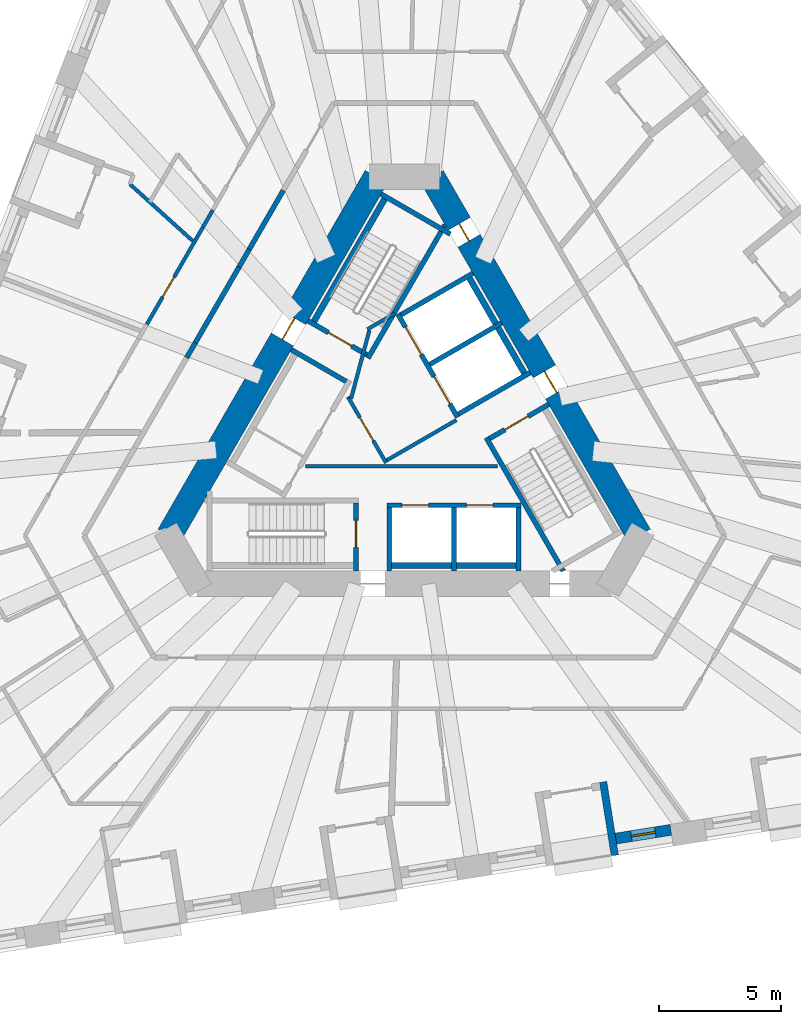
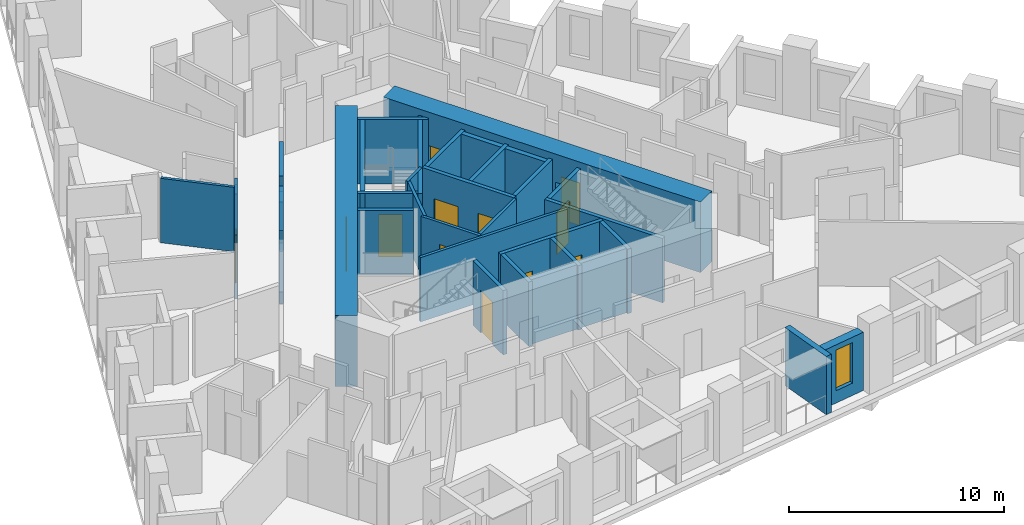
# One storey, part 5 of 14: 34 walls, 12 doors, 1 window, 13 openings.
"""IFC4 building model written with IfcOpenShell, lengths in metres."""

from ifc_helpers import new_model, si_unit, direction, frame, frame_2d, origin, place, context, subcontext, project, spatial, rectangle, extrude, material, layer, layer_set, type_object, element, fill, save


model = new_model("IFC4")

# Units and contexts
model_context = context("Model", 3, precision=1e-05, world=origin(), true_north=direction((0.0, 1.0)))
body_context = subcontext(model_context, "Body", "Model", "MODEL_VIEW")
ifc_project = project(units=[si_unit("LENGTHUNIT", "METRE"), si_unit("AREAUNIT", "SQUARE_METRE"), si_unit("VOLUMEUNIT", "CUBIC_METRE"), si_unit("PLANEANGLEUNIT", "RADIAN"), si_unit("MASSUNIT", "GRAM", prefix="KILO")], contexts=[model_context])

# Site, building, storey
site_placement = place(None, origin())
site = spatial("IfcSite", under=ifc_project, at=site_placement, CompositionType="ELEMENT")
building_placement = place(site_placement, origin())
building = spatial("IfcBuilding", under=site, at=building_placement, Name="Tramontana Tower", CompositionType="ELEMENT")
storey_placement = place(building_placement, frame((0.0, 0.0, 67.199951171875)))
storey = spatial("IfcBuildingStorey", under=building, at=storey_placement, Name="L14", CompositionType="ELEMENT", Elevation=67.199951171875)

# Wall, opening, door
ifc_material_1 = material(Name="Concrete 70 MPa", Category="concrete")
ifc_layer_1 = layer(ifc_material_1, 1.050048828125)
ifc_layer_set_1 = layer_set([ifc_layer_1], Name="Core wall 1050 70 MPa")
wall_type_1 = type_object("IfcWallType", Name="Core wall 1050 70 MPa", PredefinedType="SHEAR", material=ifc_layer_set_1)
wall_1_placement = place(storey_placement, frame((-1.140380859375, 10.47509765625, 0.0), z_axis=(0.0, 0.0, 1.0), x_axis=(-0.499985955615, -0.866033512162, 0.0)))
wall_1 = element("IfcWall", 1, at=wall_1_placement, inside=storey, type_object=wall_type_1, Name="Core wall C1 L14", PredefinedType="SHEAR", context=body_context, shape_type="SweptSolid", body=[
    extrude(rectangle(XDim=17.0029296875, YDim=1.050048828125, at=frame_2d((8.50146484375, 0.0))), origin(), (0.0, 0.0, 1.0), 4.0),
])
opening_1_placement = place(wall_1_placement, frame((6.70654296875, 0.0, 0.0)))
opening_1 = element("IfcOpeningElement", 2, at=opening_1_placement, cuts=wall_1, Name="Opening RG1", PredefinedType="OPENING", context=body_context, shape_type="SweptSolid", body=[
    extrude(rectangle(XDim=1.0, YDim=2.39990234375, at=frame_2d((0.5, 1.199951171875))), frame((0.0, 0.534912109375, 0.0), z_axis=(0.0, -1.0, 0.0), x_axis=(1.0, 0.0, 0.0)), (0.0, 0.0, 1.0), 1.070068359375),
])
ifc_material_2 = material(Name="Painted steel", Category="steel")
door_type_1 = type_object("IfcDoorType", Name="RING DOOR 1000", OperationType="SINGLE_SWING_LEFT", PredefinedType="DOOR", material=ifc_material_2)
door_1_placement = place(opening_1_placement, origin())
door_1 = element("IfcDoor", 3, at=door_1_placement, inside=storey, type_object=door_type_1, Name="Door RG1", OperationType="SINGLE_SWING_RIGHT", OverallHeight=2.39990234375, OverallWidth=1.0, PredefinedType="DOOR", context=body_context, shape_type="SweptSolid", body=[
    extrude(rectangle(XDim=1.0, YDim=2.39990234375, at=frame_2d((0.5, 1.199951171875))), frame((0.0, 0.02490234375, 0.0), z_axis=(0.0, -1.0, 0.0), x_axis=(1.0, 0.0, 0.0)), (0.0, 0.0, 1.0), 0.050048828125),
])
fill(opening_1, door_1)

# Wall, openings, doors
wall_2_placement = place(storey_placement, frame((9.6416015625, -4.25, 0.0), z_axis=(0.0, 0.0, 1.0), x_axis=(-0.499985955615, 0.866033512162, 0.0)))
wall_2 = element("IfcWall", 4, at=wall_2_placement, inside=storey, type_object=wall_type_1, Name="Core wall C5 L14", PredefinedType="SHEAR", context=body_context, shape_type="SweptSolid", body=[
    extrude(rectangle(XDim=17.0029296875, YDim=1.050048828125, at=frame_2d((8.50146484375, 0.0))), origin(), (0.0, 0.0, 1.0), 4.0),
])
opening_2_placement = place(wall_2_placement, frame((6.7763671875, 0.0, 0.0)))
opening_2 = element("IfcOpeningElement", 5, at=opening_2_placement, cuts=wall_2, Name="Opening RG3", PredefinedType="OPENING", context=body_context, shape_type="SweptSolid", body=[
    extrude(rectangle(XDim=1.0, YDim=2.39990234375, at=frame_2d((0.5, 1.199951171875))), frame((0.0, 0.534912109375, 0.0), z_axis=(0.0, -1.0, 0.0), x_axis=(1.0, 0.0, 0.0)), (0.0, 0.0, 1.0), 1.070068359375),
])
opening_3_placement = place(wall_2_placement, frame((13.966796875, 0.0, 0.0)))
opening_3 = element("IfcOpeningElement", 6, at=opening_3_placement, cuts=wall_2, Name="Opening PD3", PredefinedType="OPENING", context=body_context, shape_type="SweptSolid", body=[
    extrude(rectangle(XDim=0.800048828125, YDim=2.10009765625, at=frame_2d((0.39990234375, 1.050048828125))), frame((0.0, 0.534912109375, 0.0), z_axis=(0.0, -1.0, 0.0), x_axis=(1.0, 0.0, 0.0)), (0.0, 0.0, 1.0), 1.070068359375),
])
ifc_material_3 = material(Name="Painted steel", Category="steel")
door_type_2 = type_object("IfcDoorType", Name="CUPBOARD DOOR 800", OperationType="SINGLE_SWING_LEFT", PredefinedType="DOOR", material=ifc_material_3)
door_2_placement = place(opening_3_placement, origin())
door_2 = element("IfcDoor", 7, at=door_2_placement, inside=storey, type_object=door_type_2, Name="Door PD3", OperationType="SINGLE_SWING_RIGHT", OverallHeight=2.10009765625, OverallWidth=0.800048828125, PredefinedType="DOOR", context=body_context, shape_type="SweptSolid", body=[
    extrude(rectangle(XDim=0.800048828125, YDim=2.10009765625, at=frame_2d((0.39990234375, 1.050048828125))), frame((0.0, 0.02490234375, 0.0), z_axis=(0.0, -1.0, 0.0), x_axis=(1.0, 0.0, 0.0)), (0.0, 0.0, 1.0), 0.050048828125),
])
fill(opening_3, door_2)
door_3_placement = place(opening_2_placement, origin())
door_3 = element("IfcDoor", 8, at=door_3_placement, inside=storey, type_object=door_type_1, Name="Door RG3", OperationType="SINGLE_SWING_RIGHT", OverallHeight=2.39990234375, OverallWidth=1.0, PredefinedType="DOOR", context=body_context, shape_type="SweptSolid", body=[
    extrude(rectangle(XDim=1.0, YDim=2.39990234375, at=frame_2d((0.5, 1.199951171875))), frame((0.0, 0.02490234375, 0.0), z_axis=(0.0, -1.0, 0.0), x_axis=(1.0, 0.0, 0.0)), (0.0, 0.0, 1.0), 0.050048828125),
])
fill(opening_2, door_3)

# Walls
ifc_material_4 = material(Name="Blockwork", Category="masonry")
ifc_layer_2 = layer(ifc_material_4, 0.199951171875)
ifc_layer_set_2 = layer_set([ifc_layer_2], Name="ENTRY WALL 200")
wall_type_2 = type_object("IfcWallType", Name="ENTRY WALL 200", PredefinedType="SOLIDWALL", material=ifc_layer_set_2)
wall_3_placement = place(storey_placement, frame((-8.92041015625, 3.04931640625, 0.0), z_axis=(0.0, 0.0, 1.0), x_axis=(0.499881507708, 0.866093804534, 0.0)))
element("IfcWall", 9, at=wall_3_placement, inside=storey, type_object=wall_type_2, Name="Wall v11-ew4-3", PredefinedType="SOLIDWALL", context=body_context, shape_type="SweptSolid", body=[
    extrude(rectangle(XDim=0.708740234375, YDim=0.199951171875, at=frame_2d((0.3544921875, 0.0))), origin(), (0.0, 0.0, 1.0), 2.949951171875),
])
wall_4_placement = place(storey_placement, frame((-8.566162109375, 3.6630859375, 0.0), z_axis=(0.0, 0.0, 1.0), x_axis=(0.500013241293, 0.866017758786, 0.0)))
element("IfcWall", 10, at=wall_4_placement, inside=storey, type_object=wall_type_2, Name="Wall v11-ew4-4", PredefinedType="SOLIDWALL", context=body_context, shape_type="SweptSolid", body=[
    extrude(rectangle(XDim=3.58544921875, YDim=0.199951171875, at=frame_2d((1.792724609375, 0.0))), origin(), (0.0, 0.0, 1.0), 3.650146484375),
])
wall_5_placement = place(storey_placement, frame((-6.7734375, 6.76806640625, 0.0), z_axis=(0.0, 0.0, 1.0), x_axis=(0.500117447933, 0.865957584569, 0.0)))
element("IfcWall", 11, at=wall_5_placement, inside=storey, type_object=wall_type_2, Name="Wall v11-ew4-5", PredefinedType="SOLIDWALL", context=body_context, shape_type="SweptSolid", body=[
    extrude(rectangle(XDim=0.838134765625, YDim=0.199951171875, at=frame_2d((0.4189453125, 0.0))), origin(), (0.0, 0.0, 1.0), 2.75),
])
wall_6_placement = place(storey_placement, frame((-6.354248046875, 7.493896484375, 0.0), z_axis=(0.0, 0.0, 1.0), x_axis=(0.499964529649, 0.866045881633, 0.0)))
element("IfcWall", 12, at=wall_6_placement, inside=storey, type_object=wall_type_2, Name="Wall v11-ew4-6", PredefinedType="SOLIDWALL", context=body_context, shape_type="SweptSolid", body=[
    extrude(rectangle(XDim=2.793701171875, YDim=0.199951171875, at=frame_2d((1.39697265625, 0.0))), origin(), (0.0, 0.0, 1.0), 3.650146484375),
])

# Wall, opening, window
ifc_material_5 = material(Name="Precast concrete 60 MPa", Category="concrete")
ifc_layer_3 = layer(ifc_material_5, 0.449951171875)
ifc_layer_set_3 = layer_set([ifc_layer_3], Name="Precast concrete 60 MPa, 450 mm")
wall_type_3 = type_object("IfcWallType", Name="EW1 Stone-faced precast wall 450", PredefinedType="SOLIDWALL", material=ifc_layer_set_3)
wall_7_placement = place(storey_placement, frame((8.680908203125, -16.67236328125, 0.0), z_axis=(0.0, 0.0, 1.0), x_axis=(0.987685675151, 0.156451293065, 0.0)))
wall_7 = element("IfcWall", 13, at=wall_7_placement, inside=storey, type_object=wall_type_3, Name="External wall L14 face 1 bay 4", PredefinedType="SOLIDWALL", context=body_context, shape_type="SweptSolid", body=[
    extrude(rectangle(XDim=2.282958984375, YDim=0.449951171875, at=frame_2d((1.1416015625, 0.0))), origin(), (0.0, 0.0, 1.0), 3.300048828125),
])
opening_4_placement = place(wall_7_placement, frame((0.6416015625, 0.0, 0.699951171875)))
opening_4 = element("IfcOpeningElement", 14, at=opening_4_placement, cuts=wall_7, Name="Opening N1", PredefinedType="OPENING", context=body_context, shape_type="SweptSolid", body=[
    extrude(rectangle(XDim=1.0, YDim=2.300048828125, at=frame_2d((0.5, 1.14990234375))), frame((0.0, 0.23486328125, 0.0), z_axis=(0.0, -1.0, 0.0), x_axis=(1.0, 0.0, 0.0)), (0.0, 0.0, 1.0), 0.469970703125),
])
ifc_material_6 = material(Name="Aluminum frame, double glazing unit", Category="aluminium")
window_type = type_object("IfcWindowType", Name="N1 Window 1 x 2.3", PartitioningType="SINGLE_PANEL", PredefinedType="WINDOW", material=ifc_material_6)
window_placement = place(opening_4_placement, origin())
window = element("IfcWindow", 15, at=window_placement, inside=storey, type_object=window_type, Name="Window N1 L14 face 1 module 12", OverallHeight=2.300048828125, OverallWidth=1.0, PartitioningType="SINGLE_PANEL", PredefinedType="WINDOW", context=body_context, shape_type="SweptSolid", body=[
    extrude(rectangle(XDim=1.0, YDim=2.300048828125, at=frame_2d((0.5, 1.14990234375))), frame((0.0, 0.030029296875, 0.0), z_axis=(0.0, -1.0, 0.0), x_axis=(1.0, 0.0, 0.0)), (0.0, 0.0, 1.0), 0.06005859375),
])
fill(opening_4, window)

# Wall
ifc_material_7 = material(Name="Precast concrete 60 MPa", Category="concrete")
ifc_layer_4 = layer(ifc_material_7, 0.300048828125)
ifc_layer_set_4 = layer_set([ifc_layer_4], Name="LW1 Stone-faced loggia wall 300")
wall_type_4 = type_object("IfcWallType", Name="LW1 Stone-faced loggia wall 300", PredefinedType="SOLIDWALL", material=ifc_layer_set_4)
wall_8_placement = place(storey_placement, frame((8.638427734375, -17.3623046875, 0.0), z_axis=(0.0, 0.0, 1.0), x_axis=(-0.156410600741, 0.987692120033, 0.0)))
element("IfcWall", 16, at=wall_8_placement, inside=storey, type_object=wall_type_4, Name="Loggia return L14 G1S1.10b", PredefinedType="SOLIDWALL", context=body_context, shape_type="SweptSolid", body=[
    extrude(rectangle(XDim=3.050048828125, YDim=0.300048828125, at=frame_2d((1.52490234375, 0.0))), origin(), (0.0, 0.0, 1.0), 3.300048828125),
])

# Wall, opening, door
ifc_material_8 = material(Name="Gypsum board partition")
ifc_layer_5 = layer(ifc_material_8, 0.14990234375)
ifc_layer_set_5 = layer_set([ifc_layer_5], Name="PARTITION 150")
wall_type_5 = type_object("IfcWallType", Name="PARTITION 150", PredefinedType="PARTITIONING", material=ifc_layer_set_5)
wall_9_placement = place(storey_placement, frame((-0.744140625, -1.260986328125, 0.0), z_axis=(0.0, 0.0, 1.0), x_axis=(-0.500004234368, 0.866022959057, 0.0)))
wall_9 = element("IfcWall", 17, at=wall_9_placement, inside=storey, type_object=wall_type_5, Name="Wall ff-front", PredefinedType="PARTITIONING", context=body_context, shape_type="SweptSolid", body=[
    extrude(rectangle(XDim=3.125, YDim=0.14990234375, at=frame_2d((1.5625, 0.0))), origin(), (0.0, 0.0, 1.0), 3.650146484375),
])
opening_5_placement = place(wall_9_placement, frame((1.050048828125, 0.0, 0.0)))
opening_5 = element("IfcOpeningElement", 18, at=opening_5_placement, cuts=wall_9, Name="Opening FD1", PredefinedType="OPENING", context=body_context, shape_type="SweptSolid", body=[
    extrude(rectangle(XDim=1.10009765625, YDim=2.39990234375, at=frame_2d((0.550048828125, 1.199951171875))), frame((0.0, 0.0849609375, 0.0), z_axis=(0.0, -1.0, 0.0), x_axis=(1.0, 0.0, 0.0)), (0.0, 0.0, 1.0), 0.169921875),
])
ifc_material_9 = material(Name="Painted timber", Category="wood")
door_type_3 = type_object("IfcDoorType", Name="DOOR ENTRY 1100", OperationType="SINGLE_SWING_LEFT", PredefinedType="DOOR", material=ifc_material_9)
door_4_placement = place(opening_5_placement, origin())
door_4 = element("IfcDoor", 19, at=door_4_placement, inside=storey, type_object=door_type_3, Name="Door FD1", OperationType="SINGLE_SWING_LEFT", OverallHeight=2.39990234375, OverallWidth=1.10009765625, PredefinedType="DOOR", context=body_context, shape_type="SweptSolid", body=[
    extrude(rectangle(XDim=1.10009765625, YDim=2.39990234375, at=frame_2d((0.550048828125, 1.199951171875))), frame((0.0, 0.02490234375, 0.0), z_axis=(0.0, -1.0, 0.0), x_axis=(1.0, 0.0, 0.0)), (0.0, 0.0, 1.0), 0.050048828125),
])
fill(opening_5, door_4)

# Walls
wall_10_placement = place(storey_placement, frame((-0.716796875, -1.15869140625, 0.0), z_axis=(0.0, 0.0, 1.0), x_axis=(0.866008176907, 0.50002983664, 0.0)))
element("IfcWall", 20, at=wall_10_placement, inside=storey, type_object=wall_type_5, Name="Wall ff-end0", PredefinedType="PARTITIONING", context=body_context, shape_type="SweptSolid", body=[
    extrude(rectangle(XDim=3.300048828125, YDim=0.14990234375, at=frame_2d((1.64990234375, 0.0))), origin(), (0.0, 0.0, 1.0), 3.650146484375),
])
wall_11_placement = place(storey_placement, frame((-2.177978515625, 1.372314453125, 0.0), z_axis=(0.0, 0.0, 1.0), x_axis=(0.258808958833, 0.96592852884, 0.0)))
element("IfcWall", 21, at=wall_11_placement, inside=storey, type_object=wall_type_5, Name="Wall ff-diag", PredefinedType="PARTITIONING", context=body_context, shape_type="SweptSolid", body=[
    extrude(rectangle(XDim=2.902587890625, YDim=0.14990234375, at=frame_2d((1.451171875, 0.0))), origin(), (0.0, 0.0, 1.0), 3.650146484375),
])
wall_12_placement = place(storey_placement, frame((-1.509765625, 4.21484375, 0.0), z_axis=(0.0, 0.0, 1.0), x_axis=(0.866085525409, 0.49989585183, 0.0)))
element("IfcWall", 22, at=wall_12_placement, inside=storey, type_object=wall_type_5, Name="Wall ff-end1", PredefinedType="PARTITIONING", context=body_context, shape_type="SweptSolid", body=[
    extrude(rectangle(XDim=1.300048828125, YDim=0.14990234375, at=frame_2d((0.64990234375, 0.0))), origin(), (0.0, 0.0, 1.0), 3.650146484375),
])
wall_13_placement = place(storey_placement, frame((-4.053466796875, -1.39990234375, 0.0), z_axis=(0.0, 0.0, 1.0), x_axis=(1.0, 0.0, 0.0)))
element("IfcWall", 23, at=wall_13_placement, inside=storey, type_object=wall_type_5, Name="Wall hub-cut1", PredefinedType="PARTITIONING", context=body_context, shape_type="SweptSolid", body=[
    extrude(rectangle(XDim=7.8759765625, YDim=0.14990234375, at=frame_2d((3.93798828125, 0.0))), origin(), (0.0, 0.0, 1.0), 3.650146484375),
])

# Wall, opening, door
wall_14_placement = place(storey_placement, frame((-10.557373046875, 4.4140625, 0.0), z_axis=(0.0, 0.0, 1.0), x_axis=(0.499985815721, 0.866033592927, 0.0)))
wall_14 = element("IfcWall", 24, at=wall_14_placement, inside=storey, type_object=wall_type_5, Name="Wall v11-pw05-4", PredefinedType="PARTITIONING", context=body_context, shape_type="SweptSolid", body=[
    extrude(rectangle(XDim=4.600830078125, YDim=0.14990234375, at=frame_2d((2.30029296875, 0.0))), origin(), (0.0, 0.0, 1.0), 3.650146484375),
])
opening_6_placement = place(wall_14_placement, frame((1.30029296875, 0.0, 0.0)))
opening_6 = element("IfcOpeningElement", 25, at=opening_6_placement, cuts=wall_14, Name="Opening B1B-07", PredefinedType="OPENING", context=body_context, shape_type="SweptSolid", body=[
    extrude(rectangle(XDim=0.949951171875, YDim=2.39990234375, at=frame_2d((0.47509765625, 1.199951171875))), frame((0.0, 0.0849609375, 0.0), z_axis=(0.0, -1.0, 0.0), x_axis=(1.0, 0.0, 0.0)), (0.0, 0.0, 1.0), 0.169921875),
])
ifc_material_10 = material(Name="Painted timber", Category="wood")
door_type_4 = type_object("IfcDoorType", Name="DOOR ROOM 950", OperationType="SINGLE_SWING_LEFT", PredefinedType="DOOR", material=ifc_material_10)
door_5_placement = place(opening_6_placement, origin())
door_5 = element("IfcDoor", 26, at=door_5_placement, inside=storey, type_object=door_type_4, Name="Door B1B-07", OperationType="SINGLE_SWING_LEFT", OverallHeight=2.39990234375, OverallWidth=0.949951171875, PredefinedType="DOOR", context=body_context, shape_type="SweptSolid", body=[
    extrude(rectangle(XDim=0.949951171875, YDim=2.39990234375, at=frame_2d((0.47509765625, 1.199951171875))), frame((0.0, 0.02490234375, 0.0), z_axis=(0.0, -1.0, 0.0), x_axis=(1.0, 0.0, 0.0)), (0.0, 0.0, 1.0), 0.050048828125),
])
fill(opening_6, door_5)

# Walls
wall_15_placement = place(storey_placement, frame((-8.257080078125, 8.3984375, 0.0), z_axis=(0.0, 0.0, 1.0), x_axis=(0.500052144805, 0.865995295874, 0.0)))
element("IfcWall", 27, at=wall_15_placement, inside=storey, type_object=wall_type_5, Name="Wall v11-pw05-5", PredefinedType="PARTITIONING", context=body_context, shape_type="SweptSolid", body=[
    extrude(rectangle(XDim=0.81201171875, YDim=0.14990234375, at=frame_2d((0.406005859375, 0.0))), origin(), (0.0, 0.0, 1.0), 2.75),
])
wall_16_placement = place(storey_placement, frame((-8.668212890625, 7.836181640625, 0.0), z_axis=(0.0, 0.0, 1.0), x_axis=(-0.741818017286, 0.670601244578, 0.0)))
element("IfcWall", 28, at=wall_16_placement, inside=storey, type_object=wall_type_5, Name="Wall v11-pw21", PredefinedType="PARTITIONING", context=body_context, shape_type="SweptSolid", body=[
    extrude(rectangle(XDim=3.48291015625, YDim=0.14990234375, at=frame_2d((1.741455078125, 0.0))), origin(), (0.0, 0.0, 1.0), 3.650146484375),
])
ifc_material_11 = material(Name="Concrete 70 MPa", Category="concrete")
ifc_layer_6 = layer(ifc_material_11, 0.25)
ifc_layer_set_6 = layer_set([ifc_layer_6], Name="Concrete 70 MPa, 250 mm")
wall_type_6 = type_object("IfcWallType", Name="RC SHAFT BACK WALL 250", PredefinedType="SOLIDWALL", material=ifc_layer_set_6)
wall_17_placement = place(storey_placement, frame((-0.701416015625, 9.73486328125, 0.0), z_axis=(0.0, 0.0, 1.0), x_axis=(-0.500026960575, -0.86600983753, 0.0)))
element("IfcWall", 29, at=wall_17_placement, inside=storey, type_object=wall_type_6, Name="Wall st1-back", PredefinedType="SOLIDWALL", context=body_context, shape_type="SweptSolid", body=[
    extrude(rectangle(XDim=6.199951171875, YDim=0.25, at=frame_2d((3.10009765625, 0.0))), origin(), (0.0, 0.0, 1.0), 3.650146484375),
])
wall_18_placement = place(storey_placement, frame((-0.7099609375, -5.47509765625, 0.0), z_axis=(0.0, 0.0, 1.0), x_axis=(1.0, 0.0, 0.0)))
element("IfcWall", 30, at=wall_18_placement, inside=storey, type_object=wall_type_6, Name="Wall row1-back", PredefinedType="SOLIDWALL", context=body_context, shape_type="SweptSolid", body=[
    extrude(rectangle(XDim=5.5, YDim=0.25, at=frame_2d((2.75, 0.0))), origin(), (0.0, 0.0, 1.0), 3.650146484375),
])
wall_19_placement = place(storey_placement, frame((5.0263671875, 2.243896484375, 0.0), z_axis=(0.0, 0.0, 1.0), x_axis=(-0.500002801628, 0.866023786258, 0.0)))
element("IfcWall", 31, at=wall_19_placement, inside=storey, type_object=wall_type_6, Name="Wall row2-back", PredefinedType="SOLIDWALL", context=body_context, shape_type="SweptSolid", body=[
    extrude(rectangle(XDim=4.89990234375, YDim=0.25, at=frame_2d((2.449951171875, 0.0))), origin(), (0.0, 0.0, 1.0), 3.650146484375),
])
ifc_material_12 = material(Name="Concrete 70 MPa", Category="concrete")
ifc_layer_7 = layer(ifc_material_12, 0.199951171875)
ifc_layer_set_7 = layer_set([ifc_layer_7], Name="Concrete 70 MPa, 200 mm")
wall_type_7 = type_object("IfcWallType", Name="RC STAIR AND SHAFT WALL 200", PredefinedType="SOLIDWALL", material=ifc_layer_set_7)
wall_20_placement = place(storey_placement, frame((1.67431640625, 8.5, 0.0), z_axis=(0.0, 0.0, 1.0), x_axis=(-0.499995607161, -0.866027939976, 0.0)))
element("IfcWall", 32, at=wall_20_placement, inside=storey, type_object=wall_type_7, Name="Wall st1-front", PredefinedType="SOLIDWALL", context=body_context, shape_type="SweptSolid", body=[
    extrude(rectangle(XDim=6.318359375, YDim=0.199951171875, at=frame_2d((3.1591796875, 0.0))), origin(), (0.0, 0.0, 1.0), 3.650146484375),
])
wall_21_placement = place(storey_placement, frame((1.892578125, 8.121826171875, 0.0), z_axis=(0.0, 0.0, 1.0), x_axis=(-0.866006986733, 0.500031897912, 0.0)))
element("IfcWall", 33, at=wall_21_placement, inside=storey, type_object=wall_type_7, Name="Wall st1-far", PredefinedType="SOLIDWALL", context=body_context, shape_type="SweptSolid", body=[
    extrude(rectangle(XDim=3.278076171875, YDim=0.199951171875, at=frame_2d((1.63916015625, 0.0))), origin(), (0.0, 0.0, 1.0), 3.650146484375),
])

# Wall, opening, door
wall_22_placement = place(storey_placement, frame((-1.521484375, 3.164794921875, 0.0), z_axis=(0.0, 0.0, 1.0), x_axis=(-0.866034573852, 0.49998411664, 0.0)))
wall_22 = element("IfcWall", 34, at=wall_22_placement, inside=storey, type_object=wall_type_7, Name="Wall st1-near", PredefinedType="SOLIDWALL", context=body_context, shape_type="SweptSolid", body=[
    extrude(rectangle(XDim=2.7998046875, YDim=0.199951171875, at=frame_2d((1.39990234375, 0.0))), origin(), (0.0, 0.0, 1.0), 3.650146484375),
])
opening_7_placement = place(wall_22_placement, frame((0.72509765625, 0.0, 0.0)))
opening_7 = element("IfcOpeningElement", 35, at=opening_7_placement, cuts=wall_22, Name="Opening SD1", PredefinedType="OPENING", context=body_context, shape_type="SweptSolid", body=[
    extrude(rectangle(XDim=1.10009765625, YDim=2.39990234375, at=frame_2d((0.550048828125, 1.199951171875))), frame((0.0, 0.10986328125, 0.0), z_axis=(0.0, -1.0, 0.0), x_axis=(1.0, 0.0, 0.0)), (0.0, 0.0, 1.0), 0.219970703125),
])
ifc_material_13 = material(Name="Painted steel", Category="steel")
door_type_5 = type_object("IfcDoorType", Name="STAIR DOOR 1100", OperationType="SINGLE_SWING_LEFT", PredefinedType="DOOR", material=ifc_material_13)
door_6_placement = place(opening_7_placement, origin())
door_6 = element("IfcDoor", 36, at=door_6_placement, inside=storey, type_object=door_type_5, Name="Door SD1", OperationType="SINGLE_SWING_RIGHT", OverallHeight=2.39990234375, OverallWidth=1.10009765625, PredefinedType="DOOR", context=body_context, shape_type="SweptSolid", body=[
    extrude(rectangle(XDim=1.10009765625, YDim=2.39990234375, at=frame_2d((0.550048828125, 1.199951171875))), frame((0.0, 0.02490234375, 0.0), z_axis=(0.0, -1.0, 0.0), x_axis=(1.0, 0.0, 0.0)), (0.0, 0.0, 1.0), 0.050048828125),
])
fill(opening_7, door_6)

wall_23_placement = place(storey_placement, frame((-1.97998046875, -2.89990234375, 0.0), z_axis=(0.0, 0.0, 1.0), x_axis=(0.0, -1.0, 0.0)))
wall_23 = element("IfcWall", 37, at=wall_23_placement, inside=storey, type_object=wall_type_7, Name="Wall st2-near", PredefinedType="SOLIDWALL", context=body_context, shape_type="SweptSolid", body=[
    extrude(rectangle(XDim=2.800048828125, YDim=0.199951171875, at=frame_2d((1.39990234375, 0.0))), origin(), (0.0, 0.0, 1.0), 3.650146484375),
])
opening_8_placement = place(wall_23_placement, frame((0.72509765625, 0.0, 0.0)))
opening_8 = element("IfcOpeningElement", 38, at=opening_8_placement, cuts=wall_23, Name="Opening SD2", PredefinedType="OPENING", context=body_context, shape_type="SweptSolid", body=[
    extrude(rectangle(XDim=1.10009765625, YDim=2.39990234375, at=frame_2d((0.550048828125, 1.199951171875))), frame((0.0, 0.10986328125, 0.0), z_axis=(0.0, -1.0, 0.0), x_axis=(1.0, 0.0, 0.0)), (0.0, 0.0, 1.0), 0.219970703125),
])
door_7_placement = place(opening_8_placement, origin())
door_7 = element("IfcDoor", 39, at=door_7_placement, inside=storey, type_object=door_type_5, Name="Door SD2", OperationType="SINGLE_SWING_LEFT", OverallHeight=2.39990234375, OverallWidth=1.10009765625, PredefinedType="DOOR", context=body_context, shape_type="SweptSolid", body=[
    extrude(rectangle(XDim=1.10009765625, YDim=2.39990234375, at=frame_2d((0.550048828125, 1.199951171875))), frame((0.0, 0.02490234375, 0.0), z_axis=(0.0, -1.0, 0.0), x_axis=(1.0, 0.0, 0.0)), (0.0, 0.0, 1.0), 0.050048828125),
])
fill(opening_8, door_7)

# Wall
wall_24_placement = place(storey_placement, frame((6.524169921875, -5.699951171875, 0.0), z_axis=(0.0, 0.0, 1.0), x_axis=(-0.499995607161, 0.866027939976, 0.0)))
element("IfcWall", 40, at=wall_24_placement, inside=storey, type_object=wall_type_7, Name="Wall st3-front", PredefinedType="SOLIDWALL", context=body_context, shape_type="SweptSolid", body=[
    extrude(rectangle(XDim=6.318359375, YDim=0.199951171875, at=frame_2d((3.1591796875, 0.0))), origin(), (0.0, 0.0, 1.0), 3.650146484375),
])

# Wall, opening, door
wall_25_placement = place(storey_placement, frame((3.50146484375, -0.2646484375, 0.0), z_axis=(0.0, 0.0, 1.0), x_axis=(0.866034573852, 0.49998411664, 0.0)))
wall_25 = element("IfcWall", 41, at=wall_25_placement, inside=storey, type_object=wall_type_7, Name="Wall st3-near", PredefinedType="SOLIDWALL", context=body_context, shape_type="SweptSolid", body=[
    extrude(rectangle(XDim=2.7998046875, YDim=0.199951171875, at=frame_2d((1.39990234375, 0.0))), origin(), (0.0, 0.0, 1.0), 3.650146484375),
])
opening_9_placement = place(wall_25_placement, frame((0.72509765625, 0.0, 0.0)))
opening_9 = element("IfcOpeningElement", 42, at=opening_9_placement, cuts=wall_25, Name="Opening SD3", PredefinedType="OPENING", context=body_context, shape_type="SweptSolid", body=[
    extrude(rectangle(XDim=1.10009765625, YDim=2.39990234375, at=frame_2d((0.550048828125, 1.199951171875))), frame((0.0, 0.10986328125, 0.0), z_axis=(0.0, -1.0, 0.0), x_axis=(1.0, 0.0, 0.0)), (0.0, 0.0, 1.0), 0.219970703125),
])
door_8_placement = place(opening_9_placement, origin())
door_8 = element("IfcDoor", 43, at=door_8_placement, inside=storey, type_object=door_type_5, Name="Door SD3", OperationType="SINGLE_SWING_RIGHT", OverallHeight=2.39990234375, OverallWidth=1.10009765625, PredefinedType="DOOR", context=body_context, shape_type="SweptSolid", body=[
    extrude(rectangle(XDim=1.10009765625, YDim=2.39990234375, at=frame_2d((0.550048828125, 1.199951171875))), frame((0.0, 0.02490234375, 0.0), z_axis=(0.0, -1.0, 0.0), x_axis=(1.0, 0.0, 0.0)), (0.0, 0.0, 1.0), 0.050048828125),
])
fill(opening_9, door_8)

# Wall
wall_26_placement = place(storey_placement, frame((-2.379638671875, 2.078369140625, 0.0), z_axis=(0.0, 0.0, 1.0), x_axis=(-0.866062058628, 0.499936506574, 0.0)))
element("IfcWall", 44, at=wall_26_placement, inside=storey, type_object=wall_type_7, Name="Wall row0-side0", PredefinedType="SOLIDWALL", context=body_context, shape_type="SweptSolid", body=[
    extrude(rectangle(XDim=2.599853515625, YDim=0.199951171875, at=frame_2d((1.2998046875, 0.0))), origin(), (0.0, 0.0, 1.0), 3.650146484375),
])

# Wall, openings, doors
wall_27_placement = place(storey_placement, frame((-0.7099609375, -3.0, 0.0), z_axis=(0.0, 0.0, 1.0), x_axis=(1.0, 0.0, 0.0)))
wall_27 = element("IfcWall", 45, at=wall_27_placement, inside=storey, type_object=wall_type_7, Name="Wall row1-front", PredefinedType="SOLIDWALL", context=body_context, shape_type="SweptSolid", body=[
    extrude(rectangle(XDim=5.5, YDim=0.199951171875, at=frame_2d((2.75, 0.0))), origin(), (0.0, 0.0, 1.0), 3.650146484375),
])
opening_10_placement = place(wall_27_placement, frame((0.610107421875, 0.0, 0.0)))
opening_10 = element("IfcOpeningElement", 46, at=opening_10_placement, cuts=wall_27, Name="Opening LD-S1", PredefinedType="OPENING", context=body_context, shape_type="SweptSolid", body=[
    extrude(rectangle(XDim=1.10009765625, YDim=2.10009765625, at=frame_2d((0.550048828125, 1.050048828125))), frame((0.0, 0.10986328125, 0.0), z_axis=(0.0, -1.0, 0.0), x_axis=(1.0, 0.0, 0.0)), (0.0, 0.0, 1.0), 0.219970703125),
])
opening_11_placement = place(wall_27_placement, frame((3.260009765625, 0.0, 0.0)))
opening_11 = element("IfcOpeningElement", 47, at=opening_11_placement, cuts=wall_27, Name="Opening LD-S2", PredefinedType="OPENING", context=body_context, shape_type="SweptSolid", body=[
    extrude(rectangle(XDim=1.10009765625, YDim=2.10009765625, at=frame_2d((0.550048828125, 1.050048828125))), frame((0.0, 0.10986328125, 0.0), z_axis=(0.0, -1.0, 0.0), x_axis=(1.0, 0.0, 0.0)), (0.0, 0.0, 1.0), 0.219970703125),
])
ifc_material_14 = material(Name="Brushed steel", Category="steel")
door_type_6 = type_object("IfcDoorType", Name="LANDING DOOR 1100", OperationType="SINGLE_SWING_LEFT", PredefinedType="DOOR", material=ifc_material_14)
door_9_placement = place(opening_10_placement, origin())
door_9 = element("IfcDoor", 48, at=door_9_placement, inside=storey, type_object=door_type_6, Name="Door LD-S1", OperationType="SLIDING_TO_LEFT", OverallHeight=2.10009765625, OverallWidth=1.10009765625, PredefinedType="DOOR", context=body_context, shape_type="SweptSolid", body=[
    extrude(rectangle(XDim=1.10009765625, YDim=2.10009765625, at=frame_2d((0.550048828125, 1.050048828125))), frame((0.0, 0.02490234375, 0.0), z_axis=(0.0, -1.0, 0.0), x_axis=(1.0, 0.0, 0.0)), (0.0, 0.0, 1.0), 0.050048828125),
])
fill(opening_10, door_9)
door_10_placement = place(opening_11_placement, origin())
door_10 = element("IfcDoor", 49, at=door_10_placement, inside=storey, type_object=door_type_6, Name="Door LD-S2", OperationType="SLIDING_TO_RIGHT", OverallHeight=2.10009765625, OverallWidth=1.10009765625, PredefinedType="DOOR", context=body_context, shape_type="SweptSolid", body=[
    extrude(rectangle(XDim=1.10009765625, YDim=2.10009765625, at=frame_2d((0.550048828125, 1.050048828125))), frame((0.0, 0.02490234375, 0.0), z_axis=(0.0, -1.0, 0.0), x_axis=(1.0, 0.0, 0.0)), (0.0, 0.0, 1.0), 0.050048828125),
])
fill(opening_11, door_10)

# Walls
for number, where, z_axis, x_axis, name in (
    (50, (-0.610107421875, -3.10009765625, 0.0), (0.0, 0.0, 1.0), (0.0, -1.0, 0.0), "Wall row1-side0"),
    (51, (2.0400390625, -3.10009765625, 0.0), (0.0, 0.0, 1.0), (0.0, -1.0, 0.0), "Wall row1-side1"),
    (52, (4.68994140625, -3.10009765625, 0.0), (0.0, 0.0, 1.0), (0.0, -1.0, 0.0), "Wall row1-side2"),
):
    element("IfcWall", number, at=place(storey_placement, frame(where, z_axis=z_axis, x_axis=x_axis)), inside=storey, type_object=wall_type_7, Name=name, PredefinedType="SOLIDWALL", context=body_context, shape_type="SweptSolid", body=[
        extrude(rectangle(XDim=2.599853515625, YDim=0.199951171875, at=frame_2d((1.2998046875, 0.0))), origin(), (0.0, 0.0, 1.0), 3.650146484375),
    ])

# Wall, openings, doors
wall_28_placement = place(storey_placement, frame((2.190185546875, 0.6064453125, 0.0), z_axis=(0.0, 0.0, 1.0), x_axis=(-0.500002801628, 0.866023786258, 0.0)))
wall_28 = element("IfcWall", 53, at=wall_28_placement, inside=storey, type_object=wall_type_7, Name="Wall row2-front", PredefinedType="SOLIDWALL", context=body_context, shape_type="SweptSolid", body=[
    extrude(rectangle(XDim=4.89990234375, YDim=0.199951171875, at=frame_2d((2.449951171875, 0.0))), origin(), (0.0, 0.0, 1.0), 3.650146484375),
])
opening_12_placement = place(wall_28_placement, frame((0.625, 0.0, 0.0)))
opening_12 = element("IfcOpeningElement", 54, at=opening_12_placement, cuts=wall_28, Name="Opening LD-F1", PredefinedType="OPENING", context=body_context, shape_type="SweptSolid", body=[
    extrude(rectangle(XDim=1.300048828125, YDim=2.10009765625, at=frame_2d((0.64990234375, 1.050048828125))), frame((0.0, 0.10986328125, 0.0), z_axis=(0.0, -1.0, 0.0), x_axis=(1.0, 0.0, 0.0)), (0.0, 0.0, 1.0), 0.219970703125),
])
opening_13_placement = place(wall_28_placement, frame((2.97509765625, 0.0, 0.0)))
opening_13 = element("IfcOpeningElement", 55, at=opening_13_placement, cuts=wall_28, Name="Opening LD-F2", PredefinedType="OPENING", context=body_context, shape_type="SweptSolid", body=[
    extrude(rectangle(XDim=1.300048828125, YDim=2.10009765625, at=frame_2d((0.64990234375, 1.050048828125))), frame((0.0, 0.10986328125, 0.0), z_axis=(0.0, -1.0, 0.0), x_axis=(1.0, 0.0, 0.0)), (0.0, 0.0, 1.0), 0.219970703125),
])
ifc_material_15 = material(Name="Brushed steel", Category="steel")
door_type_7 = type_object("IfcDoorType", Name="LANDING DOOR 1300", OperationType="SINGLE_SWING_LEFT", PredefinedType="DOOR", material=ifc_material_15)
door_11_placement = place(opening_12_placement, origin())
door_11 = element("IfcDoor", 56, at=door_11_placement, inside=storey, type_object=door_type_7, Name="Door LD-F1", OperationType="SLIDING_TO_LEFT", OverallHeight=2.10009765625, OverallWidth=1.300048828125, PredefinedType="DOOR", context=body_context, shape_type="SweptSolid", body=[
    extrude(rectangle(XDim=1.300048828125, YDim=2.10009765625, at=frame_2d((0.64990234375, 1.050048828125))), frame((0.0, 0.02490234375, 0.0), z_axis=(0.0, -1.0, 0.0), x_axis=(1.0, 0.0, 0.0)), (0.0, 0.0, 1.0), 0.050048828125),
])
fill(opening_12, door_11)
door_12_placement = place(opening_13_placement, origin())
door_12 = element("IfcDoor", 57, at=door_12_placement, inside=storey, type_object=door_type_7, Name="Door LD-F2", OperationType="SLIDING_TO_RIGHT", OverallHeight=2.10009765625, OverallWidth=1.300048828125, PredefinedType="DOOR", context=body_context, shape_type="SweptSolid", body=[
    extrude(rectangle(XDim=1.300048828125, YDim=2.10009765625, at=frame_2d((0.64990234375, 1.050048828125))), frame((0.0, 0.02490234375, 0.0), z_axis=(0.0, -1.0, 0.0), x_axis=(1.0, 0.0, 0.0)), (0.0, 0.0, 1.0), 0.050048828125),
])
fill(opening_13, door_12)

# Walls
for number, where, z_axis, x_axis, name in (
    (58, (2.226806640625, 0.742919921875, 0.0), (0.0, 0.0, 1.0), (0.866038511948, 0.499977295307, 0.0), "Wall row2-side0"),
    (59, (1.0517578125, 2.778076171875, 0.0), (0.0, 0.0, 1.0), (0.866038511948, 0.499977295307, 0.0), "Wall row2-side1"),
):
    element("IfcWall", number, at=place(storey_placement, frame(where, z_axis=z_axis, x_axis=x_axis)), inside=storey, type_object=wall_type_7, Name=name, PredefinedType="SOLIDWALL", context=body_context, shape_type="SweptSolid", body=[
        extrude(rectangle(XDim=3.400146484375, YDim=0.199951171875, at=frame_2d((1.7001953125, 0.0))), origin(), (0.0, 0.0, 1.0), 3.650146484375),
    ])
wall_29_placement = place(storey_placement, frame((-0.123046875, 4.813232421875, 0.0), z_axis=(0.0, 0.0, 1.0), x_axis=(0.866020560687, 0.500008388397, 0.0)))
element("IfcWall", 60, at=wall_29_placement, inside=storey, type_object=wall_type_7, Name="Wall row2-side2", PredefinedType="SOLIDWALL", context=body_context, shape_type="SweptSolid", body=[
    extrude(rectangle(XDim=3.39990234375, YDim=0.199951171875, at=frame_2d((1.699951171875, 0.0))), origin(), (0.0, 0.0, 1.0), 3.650146484375),
])

save(model, "model.ifc")
